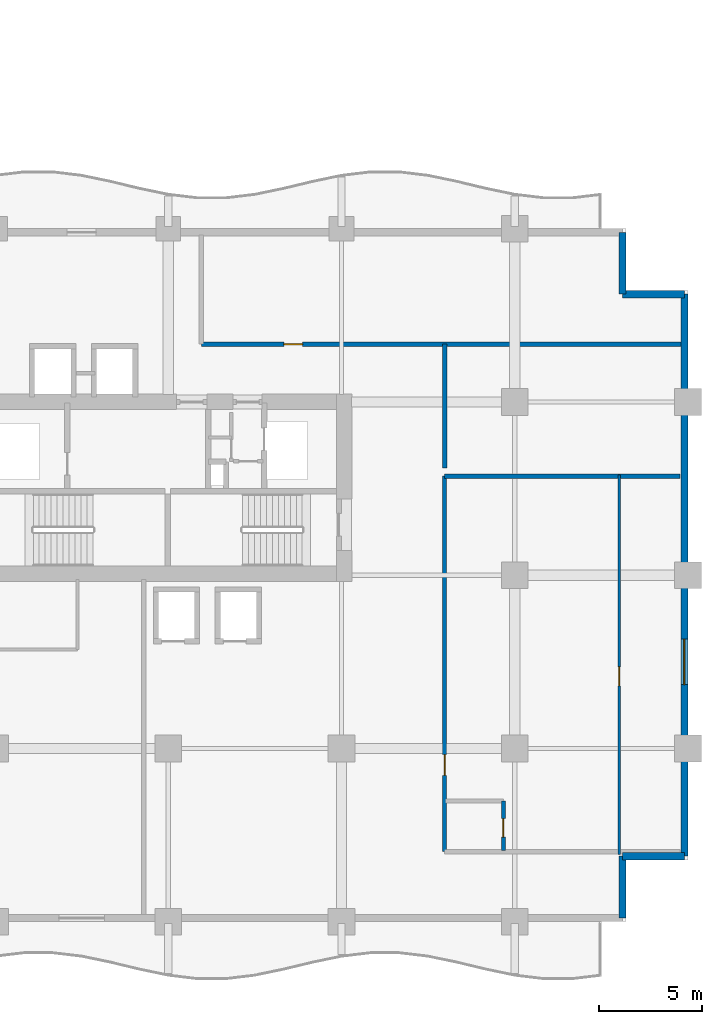
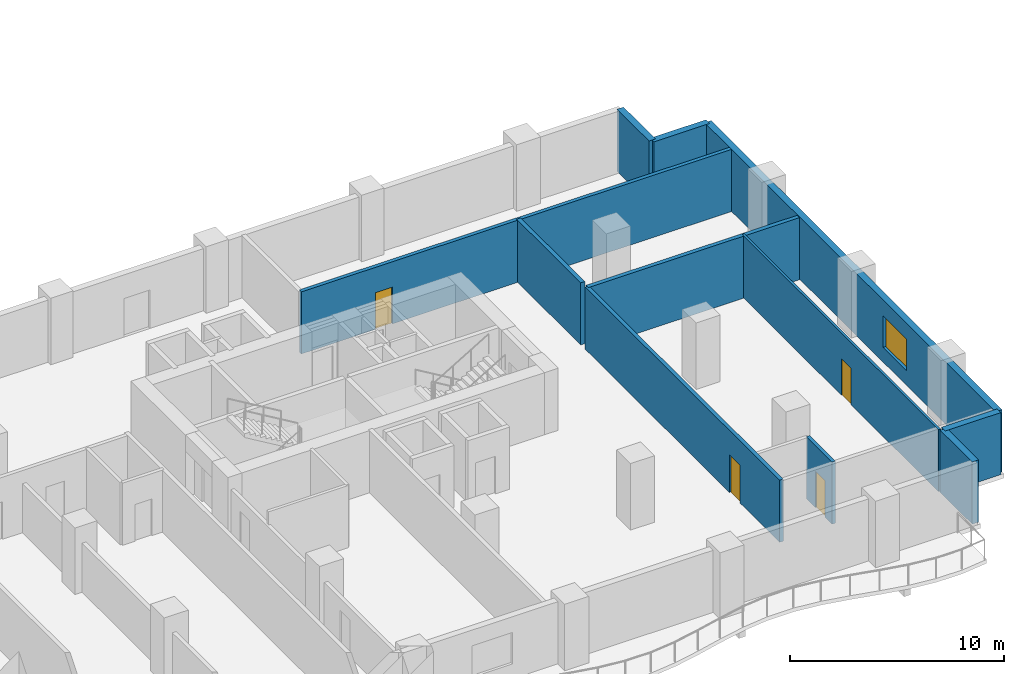
# One storey, part 10 of 17: 11 walls, 4 doors, 1 window, 5 openings.
"""IFC4 building model written with IfcOpenShell, lengths in metres."""

from ifc_helpers import new_model, si_unit, direction, frame, frame_2d, origin, place, context, subcontext, project, spatial, rectangle, extrude, material, layer, layer_set, type_object, element, fill, save


model = new_model("IFC4")

# Units and contexts
model_context = context("Model", 3, precision=1e-05, world=origin(), true_north=direction((0.0, 1.0)))
body_context = subcontext(model_context, "Body", "Model", "MODEL_VIEW")
ifc_project = project(units=[si_unit("LENGTHUNIT", "METRE"), si_unit("AREAUNIT", "SQUARE_METRE"), si_unit("VOLUMEUNIT", "CUBIC_METRE"), si_unit("PLANEANGLEUNIT", "RADIAN"), si_unit("MASSUNIT", "GRAM", prefix="KILO")], contexts=[model_context])

# Site, building, storey
site_placement = place(None, origin())
site = spatial("IfcSite", under=ifc_project, at=site_placement, CompositionType="ELEMENT")
building_placement = place(site_placement, origin())
building = spatial("IfcBuilding", under=site, at=building_placement, Name="Koriwani Terraces Tower", CompositionType="ELEMENT")
storey_placement = place(building_placement, frame((0.0, 0.0, 122.800048828125)))
storey = spatial("IfcBuildingStorey", under=building, at=storey_placement, Name="L29", CompositionType="ELEMENT", Elevation=122.800048828125)

# Wall, opening, door
ifc_material_1 = material(Name="Autoclaved Cellular Concrete Blockwork", Category="masonry")
ifc_layer_1 = layer(ifc_material_1, 0.199951171875, Name="Autoclaved Cellular Concrete Blockwork")
ifc_layer_set_1 = layer_set([ifc_layer_1], Name="Autoclaved Cellular Concrete Blockwork")
wall_type_1 = type_object("IfcWallType", Name="WALL_CORRIDOR_200", PredefinedType="PARTITIONING", material=ifc_layer_set_1)
wall_1_placement = place(storey_placement, frame((63.800048828125, 3.39990234375, 0.0), z_axis=(0.0, 0.0, 1.0), x_axis=(0.0, 1.0, 0.0)))
wall_1 = element("IfcWall", 1, at=wall_1_placement, inside=storey, type_object=wall_type_1, Name="L29 Interior Wall WGB-L29-SETIP-W", PredefinedType="PARTITIONING", context=body_context, shape_type="SweptSolid", body=[
    extrude(rectangle(XDim=18.2001953125, YDim=0.199951171875, at=frame_2d((9.10009765625, 0.0))), origin(), (0.0, 0.0, 1.0), 3.550048828125),
])
opening_1_placement = place(wall_1_placement, frame((3.699951171875, 0.0, 0.0)))
opening_1 = element("IfcOpeningElement", 2, at=opening_1_placement, cuts=wall_1, Name="Opening D-05", PredefinedType="OPENING", context=body_context, shape_type="SweptSolid", body=[
    extrude(rectangle(XDim=1.0, YDim=2.14990234375, at=frame_2d((0.5, 1.074951171875))), frame((0.0, 0.10986328125, 0.0), z_axis=(0.0, -1.0, 0.0), x_axis=(1.0, 0.0, 0.0)), (0.0, 0.0, 1.0), 0.219970703125),
])
ifc_material_2 = material(Name="Architectural Oak Fire Door", Category="wood")
door_type_1 = type_object("IfcDoorType", Name="DOOR_SUITE_ENTRY_1000X2150", OperationType="NOTDEFINED", PredefinedType="DOOR", material=ifc_material_2)
door_1_placement = place(opening_1_placement, origin())
door_1 = element("IfcDoor", 3, at=door_1_placement, inside=storey, type_object=door_type_1, Name="Ambassador Suite 29ET Entrance Door", OperationType="SINGLE_SWING_RIGHT", OverallHeight=2.14990234375, OverallWidth=1.0, PredefinedType="DOOR", context=body_context, shape_type="SweptSolid", body=[
    extrude(rectangle(XDim=1.0, YDim=2.14990234375, at=frame_2d((0.5, 1.074951171875))), frame((0.0, 0.02490234375, 0.0), z_axis=(0.0, -1.0, 0.0), x_axis=(1.0, 0.0, 0.0)), (0.0, 0.0, 1.0), 0.050048828125),
])
fill(opening_1, door_1)

wall_2_placement = place(storey_placement, frame((52.0, 28.0, 0.0), z_axis=(0.0, 0.0, 1.0), x_axis=(1.0, 0.0, 0.0)))
wall_2 = element("IfcWall", 4, at=wall_2_placement, inside=storey, type_object=wall_type_1, Name="L29 Interior Wall WSET2-S-L29", PredefinedType="PARTITIONING", context=body_context, shape_type="SweptSolid", body=[
    extrude(rectangle(XDim=23.25, YDim=0.199951171875, at=frame_2d((11.625, 0.0))), origin(), (0.0, 0.0, 1.0), 3.550048828125),
])
opening_2_placement = place(wall_2_placement, frame((4.0, 0.0, 0.0)))
opening_2 = element("IfcOpeningElement", 5, at=opening_2_placement, cuts=wall_2, Name="Opening D-06", PredefinedType="OPENING", context=body_context, shape_type="SweptSolid", body=[
    extrude(rectangle(XDim=0.919921875, YDim=2.10009765625, at=frame_2d((0.4599609375, 1.050048828125))), frame((0.0, 0.10986328125, 0.0), z_axis=(0.0, -1.0, 0.0), x_axis=(1.0, 0.0, 0.0)), (0.0, 0.0, 1.0), 0.219970703125),
])
door_type_2 = type_object("IfcDoorType", Name="DOOR_ROOM_INT_920X2100", OperationType="NOTDEFINED", PredefinedType="DOOR", material=ifc_material_2)
door_2_placement = place(opening_2_placement, origin())
door_2 = element("IfcDoor", 6, at=door_2_placement, inside=storey, type_object=door_type_2, Name="L29 East Court Salon Door", OperationType="SINGLE_SWING_LEFT", OverallHeight=2.10009765625, OverallWidth=0.919921875, PredefinedType="DOOR", context=body_context, shape_type="SweptSolid", body=[
    extrude(rectangle(XDim=0.919921875, YDim=2.10009765625, at=frame_2d((0.4599609375, 1.050048828125))), frame((0.0, 0.02490234375, 0.0), z_axis=(0.0, -1.0, 0.0), x_axis=(1.0, 0.0, 0.0)), (0.0, 0.0, 1.0), 0.050048828125),
])
fill(opening_2, door_2)

# Walls
ifc_layer_2 = layer(ifc_material_1, 0.219970703125, Name="Autoclaved Cellular Concrete Blockwork")
ifc_layer_set_2 = layer_set([ifc_layer_2], Name="Autoclaved Cellular Concrete Blockwork")
wall_type_2 = type_object("IfcWallType", Name="WALL_DEMISING_220", PredefinedType="PARTITIONING", material=ifc_layer_set_2)
wall_3_placement = place(storey_placement, frame((63.800048828125, 21.60009765625, 0.0), z_axis=(0.0, 0.0, 1.0), x_axis=(1.0, 0.0, 0.0)))
element("IfcWall", 7, at=wall_3_placement, inside=storey, type_object=wall_type_2, Name="L29 Interior Wall WGB-L29-SETIP-N", PredefinedType="PARTITIONING", context=body_context, shape_type="SweptSolid", body=[
    extrude(rectangle(XDim=11.419921875, YDim=0.219970703125, at=frame_2d((5.7099609375, 0.0))), origin(), (0.0, 0.0, 1.0), 3.550048828125),
])
wall_4_placement = place(storey_placement, frame((63.800048828125, 22.0, 0.0), z_axis=(0.0, 0.0, 1.0), x_axis=(0.0, 1.0, 0.0)))
element("IfcWall", 8, at=wall_4_placement, inside=storey, type_object=wall_type_2, Name="L29 Interior Wall WSET2-SW-L29", PredefinedType="PARTITIONING", context=body_context, shape_type="SweptSolid", body=[
    extrude(rectangle(XDim=6.0, YDim=0.219970703125, at=frame_2d((3.0, 0.0))), origin(), (0.0, 0.0, 1.0), 3.550048828125),
])
ifc_material_3 = material(Name="Concrete C50/60", Category="concrete")
ifc_layer_3 = layer(ifc_material_3, 0.35009765625, Name="Concrete C50/60")
ifc_layer_set_3 = layer_set([ifc_layer_3], Name="Concrete C50/60")
wall_type_3 = type_object("IfcWallType", Name="WALL_EXT_BRUTALIST_350", PredefinedType="STANDARD", material=ifc_layer_set_3)
for number, where, z_axis, x_axis, name in (
    (9, (72.425048828125, 33.425048828125, 0.0), (0.0, 0.0, 1.0), (0.0, -1.0, 0.0), "L29 Fair-Faced Brutalist Exterior Wall (N10)"),
    (10, (72.425048828125, 30.425048828125, 0.0), (0.0, 0.0, 1.0), (1.0, 0.0, 0.0), "L29 Fair-Faced Brutalist Exterior Wall (N11)"),
):
    element("IfcWall", number, at=place(storey_placement, frame(where, z_axis=z_axis, x_axis=x_axis)), inside=storey, type_object=wall_type_3, Name=name, PredefinedType="STANDARD", context=body_context, shape_type="SweptSolid", body=[
        extrude(rectangle(XDim=3.0, YDim=0.35009765625, at=frame_2d((1.5, 0.0))), origin(), (0.0, 0.0, 1.0), 3.550048828125),
    ])

# Wall, opening, window
wall_5_placement = place(storey_placement, frame((75.425048828125, 30.425048828125, 0.0), z_axis=(0.0, 0.0, 1.0), x_axis=(0.0, -1.0, 0.0)))
wall_5 = element("IfcWall", 11, at=wall_5_placement, inside=storey, type_object=wall_type_3, Name="L29 Fair-Faced Brutalist Exterior Wall (E_TIP)", PredefinedType="STANDARD", context=body_context, shape_type="SweptSolid", body=[
    extrude(rectangle(XDim=27.25, YDim=0.35009765625, at=frame_2d((13.625, 0.0))), origin(), (0.0, 0.0, 1.0), 3.550048828125),
])
opening_3_placement = place(wall_5_placement, frame((16.72509765625, 0.0, 0.85009765625)))
opening_3 = element("IfcOpeningElement", 12, at=opening_3_placement, cuts=wall_5, Name="Opening W-01", PredefinedType="OPENING", context=body_context, shape_type="SweptSolid", body=[
    extrude(rectangle(XDim=2.199951171875, YDim=1.800048828125, at=frame_2d((1.10009765625, 0.89990234375))), frame((0.0, 0.18505859375, 0.0), z_axis=(0.0, -1.0, 0.0), x_axis=(1.0, 0.0, 0.0)), (0.0, 0.0, 1.0), 0.3701171875),
])
ifc_material_4 = material(Name="Tempered Laminated Low-E Glass", Category="glass")
window_type = type_object("IfcWindowType", Name="WIN_HOTEL_STD_2200X1800", PartitioningType="DOUBLE_PANEL_VERTICAL", PredefinedType="WINDOW", material=ifc_material_4)
window_placement = place(opening_3_placement, origin())
window = element("IfcWindow", 13, at=window_placement, inside=storey, type_object=window_type, Name="L29 Exterior Window (E_TIP-3)", OverallHeight=1.800048828125, OverallWidth=2.199951171875, PartitioningType="SINGLE_PANEL", PredefinedType="WINDOW", context=body_context, shape_type="SweptSolid", body=[
    extrude(rectangle(XDim=2.199951171875, YDim=1.800048828125, at=frame_2d((1.10009765625, 0.89990234375))), frame((0.0, 0.030029296875, 0.0), z_axis=(0.0, -1.0, 0.0), x_axis=(1.0, 0.0, 0.0)), (0.0, 0.0, 1.0), 0.06005859375),
])
fill(opening_3, window)

# Walls
for number, where, z_axis, x_axis, name in (
    (14, (75.425048828125, 3.175048828125, 0.0), (0.0, 0.0, 1.0), (-1.0, 0.0, 0.0), "L29 Fair-Faced Brutalist Exterior Wall (N13)"),
    (15, (72.425048828125, 3.175048828125, 0.0), (0.0, 0.0, 1.0), (0.0, -1.0, 0.0), "L29 Fair-Faced Brutalist Exterior Wall (N14)"),
):
    element("IfcWall", number, at=place(storey_placement, frame(where, z_axis=z_axis, x_axis=x_axis)), inside=storey, type_object=wall_type_3, Name=name, PredefinedType="STANDARD", context=body_context, shape_type="SweptSolid", body=[
        extrude(rectangle(XDim=3.0, YDim=0.35009765625, at=frame_2d((1.5, 0.0))), origin(), (0.0, 0.0, 1.0), 3.550048828125),
    ])

# Wall, opening, door
ifc_material_5 = material(Name="Fire-Rated Acoustic Gypsum Partition", Category="masonry")
ifc_layer_4 = layer(ifc_material_5, 0.125, Name="Fire-Rated Acoustic Gypsum Partition")
ifc_layer_set_4 = layer_set([ifc_layer_4], Name="Fire-Rated Acoustic Gypsum Partition")
wall_type_4 = type_object("IfcWallType", Name="WALL_INT_125", PredefinedType="PARTITIONING", material=ifc_layer_set_4)
wall_6_placement = place(storey_placement, frame((72.27001953125, 3.25, 0.0), z_axis=(0.0, 0.0, 1.0), x_axis=(0.0, 1.0, 0.0)))
wall_6 = element("IfcWall", 16, at=wall_6_placement, inside=storey, type_object=wall_type_4, Name="L29 Interior Wall WGB-L29-SETIP-BD", PredefinedType="PARTITIONING", context=body_context, shape_type="SweptSolid", body=[
    extrude(rectangle(XDim=18.39990234375, YDim=0.125, at=frame_2d((9.199951171875, 0.0))), origin(), (0.0, 0.0, 1.0), 3.550048828125),
])
opening_4_placement = place(wall_6_placement, frame((8.18994140625, 0.0, 0.0)))
opening_4 = element("IfcOpeningElement", 17, at=opening_4_placement, cuts=wall_6, Name="Opening D-06", PredefinedType="OPENING", context=body_context, shape_type="SweptSolid", body=[
    extrude(rectangle(XDim=0.919921875, YDim=2.10009765625, at=frame_2d((0.4599609375, 1.050048828125))), frame((0.0, 0.072509765625, 0.0), z_axis=(0.0, -1.0, 0.0), x_axis=(1.0, 0.0, 0.0)), (0.0, 0.0, 1.0), 0.14501953125),
])
door_3_placement = place(opening_4_placement, origin())
door_3 = element("IfcDoor", 18, at=door_3_placement, inside=storey, type_object=door_type_2, Name="Ambassador Suite 29ET Master Suite Door", OperationType="SINGLE_SWING_RIGHT", OverallHeight=2.10009765625, OverallWidth=0.919921875, PredefinedType="DOOR", context=body_context, shape_type="SweptSolid", body=[
    extrude(rectangle(XDim=0.919921875, YDim=2.10009765625, at=frame_2d((0.4599609375, 1.050048828125))), frame((0.0, 0.02490234375, 0.0), z_axis=(0.0, -1.0, 0.0), x_axis=(1.0, 0.0, 0.0)), (0.0, 0.0, 1.0), 0.050048828125),
])
fill(opening_4, door_3)

ifc_layer_5 = layer(ifc_material_5, 0.179931640625, Name="Fire-Rated Acoustic Gypsum Partition")
ifc_layer_set_5 = layer_set([ifc_layer_5], Name="Fire-Rated Acoustic Gypsum Partition")
wall_type_5 = type_object("IfcWallType", Name="WALL_PLUMBING_180", PredefinedType="PLUMBINGWALL", material=ifc_layer_set_5)
wall_7_placement = place(storey_placement, frame((66.64990234375, 3.449951171875, 0.0), z_axis=(0.0, 0.0, 1.0), x_axis=(0.0, 1.0, 0.0)))
wall_7 = element("IfcWall", 19, at=wall_7_placement, inside=storey, type_object=wall_type_5, Name="L29 Interior Wall WGB-L29-SETIP-SVB", PredefinedType="PLUMBINGWALL", context=body_context, shape_type="SweptSolid", body=[
    extrude(rectangle(XDim=2.400146484375, YDim=0.179931640625, at=frame_2d((1.2001953125, 0.0))), origin(), (0.0, 0.0, 1.0), 3.550048828125),
])
opening_5_placement = place(wall_7_placement, frame((0.64990234375, 0.0, 0.0)))
opening_5 = element("IfcOpeningElement", 20, at=opening_5_placement, cuts=wall_7, Name="Opening D-07", PredefinedType="OPENING", context=body_context, shape_type="SweptSolid", body=[
    extrude(rectangle(XDim=0.89990234375, YDim=2.10009765625, at=frame_2d((0.449951171875, 1.050048828125))), frame((0.0, 0.10009765625, 0.0), z_axis=(0.0, -1.0, 0.0), x_axis=(1.0, 0.0, 0.0)), (0.0, 0.0, 1.0), 0.199951171875),
])
door_type_3 = type_object("IfcDoorType", Name="DOOR_BATH_INT_900X2100", OperationType="NOTDEFINED", PredefinedType="DOOR", material=ifc_material_2)
door_4_placement = place(opening_5_placement, origin())
door_4 = element("IfcDoor", 21, at=door_4_placement, inside=storey, type_object=door_type_3, Name="Ambassador Suite 29ET Bathroom Door", OperationType="SINGLE_SWING_LEFT", OverallHeight=2.10009765625, OverallWidth=0.89990234375, PredefinedType="DOOR", context=body_context, shape_type="SweptSolid", body=[
    extrude(rectangle(XDim=0.89990234375, YDim=2.10009765625, at=frame_2d((0.449951171875, 1.050048828125))), frame((0.0, 0.02490234375, 0.0), z_axis=(0.0, -1.0, 0.0), x_axis=(1.0, 0.0, 0.0)), (0.0, 0.0, 1.0), 0.050048828125),
])
fill(opening_5, door_4)

save(model, "model.ifc")
